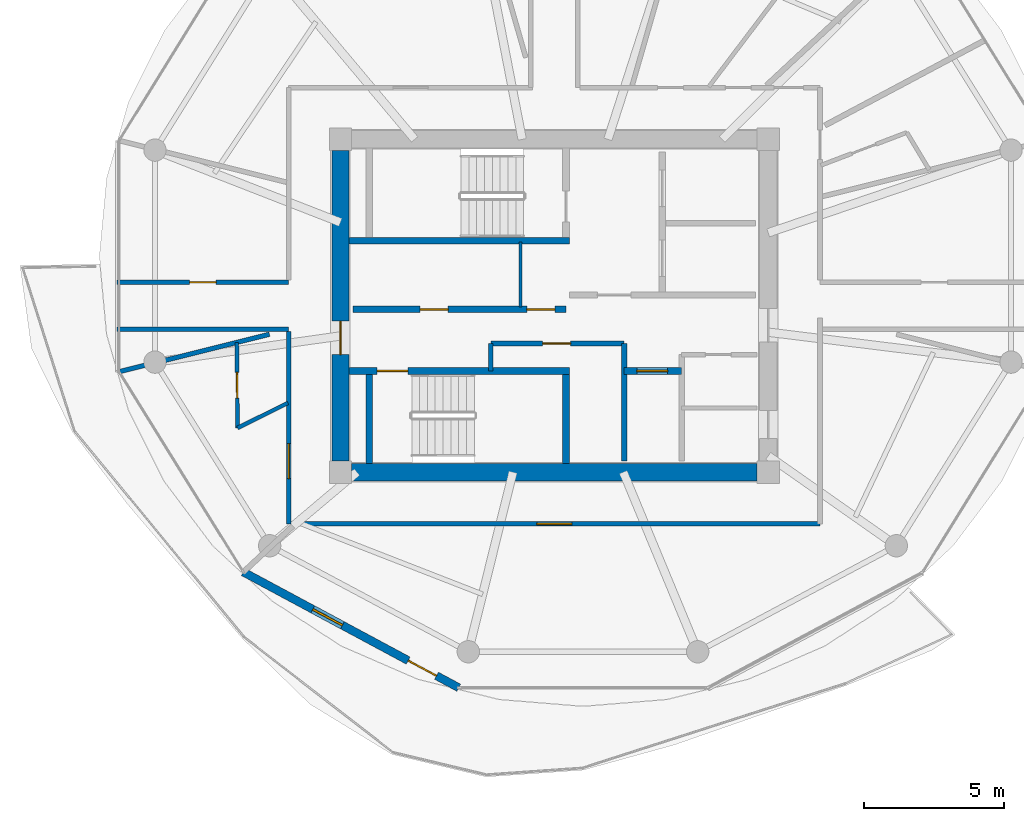
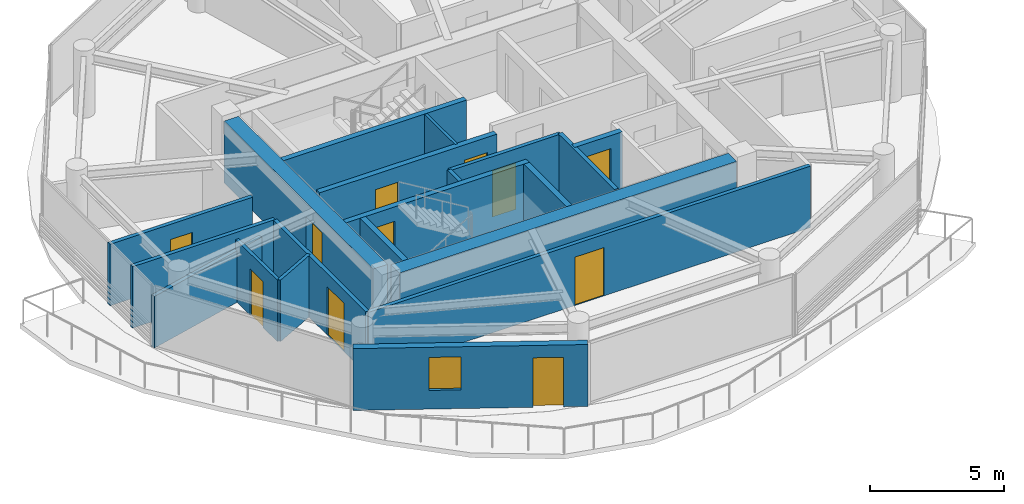
# One storey, part 12 of 22: 20 walls, 11 doors, 1 window, 12 openings.
"""IFC4 building model written with IfcOpenShell, lengths in metres."""

import ifcopenshell
import ifcopenshell.guid

model = None  # the IFC model being written
_history = None  # IfcOwnerHistory: only IFC2X3 demands one
_inside = {}  # id of a spatial element -> (the spatial element, [elements in it])
_under = {}  # id of a project, library or spatial element -> (it, [spatial elements below it])
_declared = {}  # id of a project -> (the project, [libraries it declares])
_typed = {}  # id of a type object -> (the type object, [elements of that type])
_made_of = {}  # id of a material, layer set ... -> (it, [elements and type objects made of it])


def new_model(schema):
    """Start an empty IFC model of exactly this schema.

    Asked for "IFC4X3", IfcOpenShell would pick the latest addendum, in which some entities
    have other attributes; the version numbers below select the first issue.
    IFC2X3 requires an IfcOwnerHistory on every rooted entity: one is made here for all.
    """
    global model, _history
    if schema == "IFC4X3":
        model = ifcopenshell.file(schema_version=(4, 3, 0, 0))
    else:
        model = ifcopenshell.file(schema=schema)
    _inside.clear()
    _under.clear()
    _declared.clear()
    _typed.clear()
    _made_of.clear()
    _history = None
    if model.schema == "IFC2X3":
        org = make("IfcOrganization", Name="unknown")
        user = make(
            "IfcPersonAndOrganization",
            ThePerson=make("IfcPerson", FamilyName="unknown"),
            TheOrganization=org,
        )
        app = make(
            "IfcApplication",
            ApplicationDeveloper=org,
            Version="unknown",
            ApplicationFullName="unknown",
            ApplicationIdentifier="unknown",
        )
        _history = make(
            "IfcOwnerHistory",
            OwningUser=user,
            OwningApplication=app,
            ChangeAction="ADDED",
            CreationDate=0,
        )
    return model


def make(cls, **values):
    """One entity of the class cls with the attributes given. An attribute that is None is left unset."""
    return model.create_entity(
        cls, **{name: value for name, value in values.items() if value is not None}
    )


def rooted(cls, **values):
    """An entity with a GlobalId (a new one), such as an element, a storey or a relation."""
    return make(cls, GlobalId=ifcopenshell.guid.new(), OwnerHistory=_history, **values)


def si_unit(unit_type, name, prefix=None):
    """IfcSIUnit, for example si_unit("LENGTHUNIT", "METRE", prefix="MILLI")."""
    return make("IfcSIUnit", UnitType=unit_type, Prefix=prefix, Name=name)


def assignment(units):
    """IfcUnitAssignment: the units of a project."""
    return None if units is None else make("IfcUnitAssignment", Units=units)


def point(xyz):
    """IfcCartesianPoint."""
    return None if xyz is None else make("IfcCartesianPoint", Coordinates=xyz)


def direction(xyz):
    """IfcDirection."""
    return None if xyz is None else make("IfcDirection", DirectionRatios=xyz)


def frame(location, z_axis=None, x_axis=None):
    """IfcAxis2Placement3D, a coordinate frame: its origin and axes. An axis left out is left unset."""
    return make(
        "IfcAxis2Placement3D",
        Location=point(location),
        Axis=direction(z_axis),
        RefDirection=direction(x_axis),
    )


def frame_2d(location, x_axis=None):
    """IfcAxis2Placement2D, a coordinate frame in the plane: its origin and x axis."""
    return make(
        "IfcAxis2Placement2D", Location=point(location), RefDirection=direction(x_axis)
    )


def origin():
    """The frame at (0, 0, 0) with its axes left unset."""
    return frame((0.0, 0.0, 0.0))


def place(relative_to, where):
    """IfcLocalPlacement: puts the frame where relative to a parent placement (None: the world)."""
    return make(
        "IfcLocalPlacement", PlacementRelTo=relative_to, RelativePlacement=where
    )


def context(
    kind, dimensions, precision=None, world=None, true_north=None, identifier=None
):
    """IfcGeometricRepresentationContext, for example the 3D "Model" context."""
    return make(
        "IfcGeometricRepresentationContext",
        ContextIdentifier=identifier,
        ContextType=kind,
        CoordinateSpaceDimension=dimensions,
        Precision=precision,
        WorldCoordinateSystem=world,
        TrueNorth=true_north,
    )


def subcontext(parent, identifier, kind, view, scale=None):
    """IfcGeometricRepresentationSubContext, for example "Body" below "Model"."""
    return make(
        "IfcGeometricRepresentationSubContext",
        ContextIdentifier=identifier,
        ContextType=kind,
        ParentContext=parent,
        TargetScale=scale,
        TargetView=view,
    )


def project(units=None, contexts=None):
    """IfcProject with its units and contexts."""
    return rooted(
        "IfcProject",
        Name="project",
        RepresentationContexts=contexts,
        UnitsInContext=assignment(units),
    )


def spatial(cls, under=None, at=None, **own):
    """A site, building, storey or space (cls), placed at a placement, below another one or the project."""
    s = rooted(cls, ObjectPlacement=at, **own)
    if under is not None:
        _under.setdefault(under.id(), (under, []))[1].append(s)
    return s


def profile(cls, at=None, kind="AREA", **sizes):
    """A parametric profile (cls). Its sizes go by their IFC names, for example OverallWidth=200.0."""
    return make(cls, ProfileType=kind, Position=at, **sizes)


def rectangle(**sizes):
    """IfcRectangleProfileDef."""
    return profile("IfcRectangleProfileDef", **sizes)


def extrude(swept, where, along, depth):
    """IfcExtrudedAreaSolid: the profile swept, set in the frame where, extruded along a direction by depth."""
    return make(
        "IfcExtrudedAreaSolid",
        SweptArea=swept,
        Position=where,
        ExtrudedDirection=direction(along),
        Depth=depth,
    )


def shape(context_of_items, identifier, shape_type, items):
    """IfcShapeRepresentation: the items that make up one representation, for example the "Body"."""
    return make(
        "IfcShapeRepresentation",
        ContextOfItems=context_of_items,
        RepresentationIdentifier=identifier,
        RepresentationType=shape_type,
        Items=items,
    )


def source(mapping_origin, context_of_items, identifier, shape_type, items):
    """IfcRepresentationMap: a shape defined once, which mapped items show again and again."""
    return make(
        "IfcRepresentationMap",
        MappingOrigin=mapping_origin,
        MappedRepresentation=shape(context_of_items, identifier, shape_type, items),
    )


def transform(
    local_origin,
    x_axis=None,
    y_axis=None,
    z_axis=None,
    scale=None,
    scale2=None,
    scale3=None,
    uniform=True,
):
    """IfcCartesianTransformationOperator3D, or its non-uniform kind. x_axis, y_axis, z_axis: its Axis1, 2, 3."""
    if uniform:
        return make(
            "IfcCartesianTransformationOperator3D",
            Axis1=direction(x_axis),
            Axis2=direction(y_axis),
            LocalOrigin=point(local_origin),
            Scale=scale,
            Axis3=direction(z_axis),
        )
    return make(
        "IfcCartesianTransformationOperator3DnonUniform",
        Axis1=direction(x_axis),
        Axis2=direction(y_axis),
        LocalOrigin=point(local_origin),
        Scale=scale,
        Axis3=direction(z_axis),
        Scale2=scale2,
        Scale3=scale3,
    )


def mapped(mapping_source, mapping_target):
    """IfcMappedItem: shows the shape of a source again, moved by a transform."""
    return make(
        "IfcMappedItem", MappingSource=mapping_source, MappingTarget=mapping_target
    )


def material(Name=None, Category=None):
    """IfcMaterial."""
    return make("IfcMaterial", Name=Name, Category=Category)


def layer(
    of_material, thickness, ventilated=None, Name=None, Category=None, Priority=None
):
    """IfcMaterialLayer: one layer of a wall or slab, of a material (None: an air gap)."""
    return make(
        "IfcMaterialLayer",
        Material=of_material,
        LayerThickness=thickness,
        IsVentilated=ventilated,
        Name=Name,
        Category=Category,
        Priority=Priority,
    )


def layer_set(layers, Name=None):
    """IfcMaterialLayerSet."""
    return make("IfcMaterialLayerSet", MaterialLayers=layers, LayerSetName=Name)


def made_of(thing, what):
    """Note that an element or type object is made of a material, layer set ...; save() writes the relation."""
    if what is not None:
        _made_of.setdefault(what.id(), (what, []))[1].append(thing)
    return thing


def type_object(cls, material=None, **own):
    """A type object (cls), such as IfcWallType, which elements share."""
    return made_of(rooted(cls, **own), material)


def type_shapes(of_type, sources):
    """Give a type object the sources (RepresentationMaps) that its elements show as mapped items."""
    of_type.RepresentationMaps = sources


def element(
    cls,
    number,
    at=None,
    inside=None,
    cuts=None,
    type_object=None,
    material=None,
    context=None,
    identifier="Body",
    shape_type=None,
    held_by="IfcProductDefinitionShape",
    body=None,
    shapes=None,
    **own,
):
    """One element of the class cls, such as IfcWall. Its Tag is "e" and its number.

    at: its placement. inside: the storey or other place that contains it. cuts: it is an
    opening in that element (IfcRelVoidsElement). A single representation is given by context,
    identifier, shape_type and body (its items); several are given by shapes. held_by: the class
    of the entity that holds the representations. save() writes the other relations.
    """
    e = rooted(cls, Tag="e%d" % number, ObjectPlacement=at, **own)
    if body is not None:
        shapes = [shape(context, identifier, shape_type, body)]
    if shapes is not None:
        e.Representation = make(held_by, Representations=shapes)
    if inside is not None:
        _inside.setdefault(inside.id(), (inside, []))[1].append(e)
    if cuts is not None:
        rooted(
            "IfcRelVoidsElement", RelatingBuildingElement=cuts, RelatedOpeningElement=e
        )
    if type_object is not None:
        _typed.setdefault(type_object.id(), (type_object, []))[1].append(e)
    return made_of(e, material)


def fill(opening, filler):
    """IfcRelFillsElement: the door or window that sits in an opening."""
    return rooted(
        "IfcRelFillsElement",
        RelatingOpeningElement=opening,
        RelatedBuildingElement=filler,
    )


def aggregate(whole, parts):
    """IfcRelAggregates: a whole, such as a stair, and the parts it consists of."""
    return rooted("IfcRelAggregates", RelatingObject=whole, RelatedObjects=parts)


def save(model, path):
    """Write the relations noted so far, then the file.

    IfcRelAggregates (storeys below a building ...), IfcRelContainedInSpatialStructure (elements
    in a storey), IfcRelDefinesByType, IfcRelAssociatesMaterial and IfcRelDeclares: one each for
    every whole, place, type object, material and project.
    """
    for whole, parts in _under.values():
        aggregate(whole, parts)
    for where, things in _inside.values():
        rooted(
            "IfcRelContainedInSpatialStructure",
            RelatedElements=things,
            RelatingStructure=where,
        )
    for kind, things in _typed.values():
        rooted("IfcRelDefinesByType", RelatedObjects=things, RelatingType=kind)
    for what, things in _made_of.values():
        rooted("IfcRelAssociatesMaterial", RelatedObjects=things, RelatingMaterial=what)
    for by, libraries in _declared.values():
        rooted("IfcRelDeclares", RelatingContext=by, RelatedDefinitions=libraries)
    model.write(path)


model = new_model("IFC4")

# Units and contexts
model_context = context("Model", 3, precision=1e-05, world=origin(), true_north=direction((0.0, 1.0)))
body_context = subcontext(model_context, "Body", "Model", "MODEL_VIEW")
ifc_project = project(units=[si_unit("LENGTHUNIT", "METRE"), si_unit("AREAUNIT", "SQUARE_METRE"), si_unit("VOLUMEUNIT", "CUBIC_METRE"), si_unit("PLANEANGLEUNIT", "RADIAN"), si_unit("MASSUNIT", "GRAM", prefix="KILO")], contexts=[model_context])

# Site, building, storey
site_placement = place(None, origin())
site = spatial("IfcSite", under=ifc_project, at=site_placement, CompositionType="ELEMENT")
building_placement = place(site_placement, origin())
building = spatial("IfcBuilding", under=site, at=building_placement, Name="Norrkilde Senior Care Towers", CompositionType="ELEMENT")
storey_placement = place(building_placement, frame((0.0, 0.0, 170.89990234375)))
storey = spatial("IfcBuildingStorey", under=building, at=storey_placement, Name="L53", CompositionType="ELEMENT", Elevation=170.89990234375)

# Wall
ifc_material_1 = material(Name="Concrete C50/60", Category="concrete")
ifc_layer_1 = layer(ifc_material_1, 0.6201171875)
ifc_layer_set_1 = layer_set([ifc_layer_1], Name="Concrete C50/60")
wall_type_1 = type_object("IfcWallType", Name="Core Shear Wall Z3 620", PredefinedType="SHEAR", material=ifc_layer_set_1)
shared_shape_1 = source(origin(), body_context, "Body", "SweptSolid", [
    extrude(rectangle(XDim=14.5, YDim=0.6201171875, at=frame_2d((7.25, 0.0))), origin(), (0.0, 0.0, 1.0), 2.81005859375),
])
wall_1_placement = place(storey_placement, frame((-20.75, -5.949951171875, 0.0), z_axis=(0.0, 0.0, 1.0), x_axis=(-1.0, 0.0, 0.0)))
element("IfcWall", 1, at=wall_1_placement, inside=storey, type_object=wall_type_1, Name="L53 Core W South Shear Wall", PredefinedType="SHEAR", context=body_context, shape_type="MappedRepresentation", body=[
    mapped(shared_shape_1, transform((0.0, 0.0, 0.0), x_axis=(1.0, 0.0, 0.0), y_axis=(0.0, 1.0, 0.0), z_axis=(0.0, 0.0, 1.0), scale=1.0)),
])

# Wall, opening, door
shared_shape_2 = source(origin(), body_context, "Body", "SweptSolid", [
    extrude(rectangle(XDim=11.10009765625, YDim=0.6201171875, at=frame_2d((5.550048828125, 0.0))), origin(), (0.0, 0.0, 1.0), 2.81005859375),
])
type_shapes(wall_type_1, [shared_shape_1, shared_shape_2])
wall_2_placement = place(storey_placement, frame((-35.64990234375, -5.550048828125, 0.0), z_axis=(0.0, 0.0, 1.0), x_axis=(0.0, 1.0, 0.0)))
wall_2 = element("IfcWall", 2, at=wall_2_placement, inside=storey, type_object=wall_type_1, Name="L53 Core W West Shear Wall", PredefinedType="SHEAR", context=body_context, shape_type="MappedRepresentation", body=[
    mapped(shared_shape_2, transform((0.0, 0.0, 0.0), x_axis=(1.0, 0.0, 0.0), y_axis=(0.0, 1.0, 0.0), z_axis=(0.0, 0.0, 1.0), scale=1.0)),
])
opening_1_placement = place(wall_2_placement, frame((3.800048828125, 0.0, 0.0)))
opening_1 = element("IfcOpeningElement", 3, at=opening_1_placement, cuts=wall_2, Name="Opening D-04", PredefinedType="OPENING", context=body_context, shape_type="SweptSolid", body=[
    extrude(rectangle(XDim=1.199951171875, YDim=2.14990234375, at=frame_2d((0.60009765625, 1.074951171875))), frame((0.0, 0.320068359375, 0.0), z_axis=(0.0, -1.0, 0.0), x_axis=(1.0, 0.0, 0.0)), (0.0, 0.0, 1.0), 0.64013671875),
])
ifc_material_2 = material(Name="Galvanised Painted Steel", Category="steel")
door_type_1 = type_object("IfcDoorType", Name="Firefighting Lobby Fire Door 1200x2150", OperationType="NOTDEFINED", PredefinedType="DOOR", material=ifc_material_2)
shared_shape_3 = source(origin(), body_context, "Body", "SweptSolid", [
    extrude(rectangle(XDim=1.199951171875, YDim=2.14990234375, at=frame_2d((0.60009765625, 1.074951171875))), frame((0.0, 0.02490234375, 0.0), z_axis=(0.0, -1.0, 0.0), x_axis=(1.0, 0.0, 0.0)), (0.0, 0.0, 1.0), 0.050048828125),
])
type_shapes(door_type_1, [shared_shape_3])
door_1_placement = place(opening_1_placement, frame((1.199951171875, 0.0, 0.0), z_axis=(0.0, 0.0, 1.0), x_axis=(-1.0, 0.0, 0.0)))
door_1 = element("IfcDoor", 4, at=door_1_placement, inside=storey, type_object=door_type_1, Name="L53 Core W West Portal Door", OperationType="SINGLE_SWING_LEFT", OverallHeight=2.14990234375, OverallWidth=1.199951171875, PredefinedType="DOOR", context=body_context, shape_type="MappedRepresentation", body=[
    mapped(shared_shape_3, transform((0.0, 0.0, 0.0), x_axis=(1.0, 0.0, 0.0), y_axis=(0.0, 1.0, 0.0), z_axis=(0.0, 0.0, 1.0), scale=1.0)),
])
fill(opening_1, door_1)

# Wall, openings, door, window
ifc_material_3 = material(Name="Precast concrete C45/55", Category="concrete")
ifc_layer_2 = layer(ifc_material_3, 0.2900390625)
ifc_layer_set_2 = layer_set([ifc_layer_2], Name="Precast concrete C45/55")
wall_type_2 = type_object("IfcWallType", Name="Winter Garden Facade Wall 290", PredefinedType="SOLIDWALL", material=ifc_layer_set_2)
shared_shape_4 = source(origin(), body_context, "Body", "SweptSolid", [
    extrude(rectangle(XDim=8.74169921875, YDim=0.2900390625, at=frame_2d((4.370849609375, 0.0))), origin(), (0.0, 0.0, 1.0), 2.81005859375),
])
type_shapes(wall_type_2, [shared_shape_4])
wall_3_placement = place(storey_placement, frame((-31.421630859375, -13.66015625, 0.0), z_axis=(0.0, 0.0, 1.0), x_axis=(-0.880992489116, 0.473130250693, 0.0)))
wall_3 = element("IfcWall", 5, at=wall_3_placement, inside=storey, type_object=wall_type_2, Name="L53 Drum W Balcony Access Wall 07", PredefinedType="SOLIDWALL", context=body_context, shape_type="MappedRepresentation", body=[
    mapped(shared_shape_4, transform((0.0, 0.0, 0.0), x_axis=(1.0, 0.0, 0.0), y_axis=(0.0, 1.0, 0.0), z_axis=(0.0, 0.0, 1.0), scale=1.0)),
])
opening_2_placement = place(wall_3_placement, frame((0.89990234375, 0.0, 0.0)))
opening_2 = element("IfcOpeningElement", 6, at=opening_2_placement, cuts=wall_3, Name="Opening D-09", PredefinedType="OPENING", context=body_context, shape_type="SweptSolid", body=[
    extrude(rectangle(XDim=1.14990234375, YDim=2.25, at=frame_2d((0.574951171875, 1.125))), frame((0.0, 0.155029296875, 0.0), z_axis=(0.0, -1.0, 0.0), x_axis=(1.0, 0.0, 0.0)), (0.0, 0.0, 1.0), 0.31005859375),
])
opening_3_placement = place(wall_3_placement, frame((4.720947265625, 0.0, 0.85009765625)))
opening_3 = element("IfcOpeningElement", 7, at=opening_3_placement, cuts=wall_3, Name="Opening WN-07", PredefinedType="OPENING", context=body_context, shape_type="SweptSolid", body=[
    extrude(rectangle(XDim=1.199951171875, YDim=1.5, at=frame_2d((0.60009765625, 0.75))), frame((0.0, 0.155029296875, 0.0), z_axis=(0.0, -1.0, 0.0), x_axis=(1.0, 0.0, 0.0)), (0.0, 0.0, 1.0), 0.31005859375),
])
ifc_material_4 = material(Name="Anodised Aluminium", Category="aluminium")
door_type_2 = type_object("IfcDoorType", Name="Terrace and Balcony Glazed Door 1150x2250", OperationType="NOTDEFINED", PredefinedType="DOOR", material=ifc_material_4)
shared_shape_5 = source(origin(), body_context, "Body", "SweptSolid", [
    extrude(rectangle(XDim=1.14990234375, YDim=2.25, at=frame_2d((0.574951171875, 1.125))), frame((0.0, 0.02490234375, 0.0), z_axis=(0.0, -1.0, 0.0), x_axis=(1.0, 0.0, 0.0)), (0.0, 0.0, 1.0), 0.050048828125),
])
type_shapes(door_type_2, [shared_shape_5])
door_2_placement = place(opening_2_placement, origin())
door_2 = element("IfcDoor", 8, at=door_2_placement, inside=storey, type_object=door_type_2, Name="L53 Drum W Outdoor Terrace Door 07", OperationType="SINGLE_SWING_RIGHT", OverallHeight=2.25, OverallWidth=1.14990234375, PredefinedType="DOOR", context=body_context, shape_type="MappedRepresentation", body=[
    mapped(shared_shape_5, transform((0.0, 0.0, 0.0), x_axis=(1.0, 0.0, 0.0), y_axis=(0.0, 1.0, 0.0), z_axis=(0.0, 0.0, 1.0), scale=1.0)),
])
fill(opening_2, door_2)
ifc_material_5 = material(Name="Triple Low-E Insulated Glazing", Category="glass")
window_type = type_object("IfcWindowType", Name="Stairwell Smoke Vent Window 1200x1500", PartitioningType="SINGLE_PANEL", PredefinedType="WINDOW", material=ifc_material_5)
shared_shape_6 = source(origin(), body_context, "Body", "SweptSolid", [
    extrude(rectangle(XDim=1.199951171875, YDim=1.5, at=frame_2d((0.60009765625, 0.75))), frame((0.0, 0.030029296875, 0.0), z_axis=(0.0, -1.0, 0.0), x_axis=(1.0, 0.0, 0.0)), (0.0, 0.0, 1.0), 0.06005859375),
])
type_shapes(window_type, [shared_shape_6])
window_placement = place(opening_3_placement, origin())
window = element("IfcWindow", 9, at=window_placement, inside=storey, type_object=window_type, Name="L53 Drum W Winter Garden Window 07", OverallHeight=1.5, OverallWidth=1.199951171875, PartitioningType="SINGLE_PANEL", PredefinedType="WINDOW", context=body_context, shape_type="MappedRepresentation", body=[
    mapped(shared_shape_6, transform((0.0, 0.0, 0.0), x_axis=(1.0, 0.0, 0.0), y_axis=(0.0, 1.0, 0.0), z_axis=(0.0, 0.0, 1.0), scale=1.0)),
])
fill(opening_3, window)

# Wall
ifc_material_6 = material(Name="Concrete C45/55", Category="concrete")
ifc_layer_3 = layer(ifc_material_6, 0.239990234375)
ifc_layer_set_3 = layer_set([ifc_layer_3], Name="Concrete C45/55")
wall_type_3 = type_object("IfcWallType", Name="Shaft and Stair Enclosure Wall 240", PredefinedType="PARTITIONING", material=ifc_layer_set_3)
shared_shape_7 = source(origin(), body_context, "Body", "SweptSolid", [
    extrude(rectangle(XDim=7.880126953125, YDim=0.239990234375, at=frame_2d((3.93994140625, 0.0))), origin(), (0.0, 0.0, 1.0), 2.81005859375),
])
wall_4_placement = place(storey_placement, frame((-35.340087890625, 2.330078125, 0.0), z_axis=(0.0, 0.0, 1.0), x_axis=(1.0, 0.0, 0.0)))
element("IfcWall", 10, at=wall_4_placement, inside=storey, type_object=wall_type_3, Name="WL-INT-L53-W-ST1S", PredefinedType="PARTITIONING", context=body_context, shape_type="MappedRepresentation", body=[
    mapped(shared_shape_7, transform((0.0, 0.0, 0.0), x_axis=(1.0, 0.0, 0.0), y_axis=(0.0, 1.0, 0.0), z_axis=(0.0, 0.0, 1.0), scale=1.0)),
])

# Wall, opening, door
wall_5_placement = place(storey_placement, frame((-35.340087890625, -2.330078125, 0.0), z_axis=(0.0, 0.0, 1.0), x_axis=(1.0, 0.0, 0.0)))
wall_5 = element("IfcWall", 11, at=wall_5_placement, inside=storey, type_object=wall_type_3, Name="WL-INT-L53-W-ST2N", PredefinedType="PARTITIONING", context=body_context, shape_type="MappedRepresentation", body=[
    mapped(shared_shape_7, transform((0.0, 0.0, 0.0), x_axis=(1.0, 0.0, 0.0), y_axis=(0.0, 1.0, 0.0), z_axis=(0.0, 0.0, 1.0), scale=1.0)),
])
opening_4_placement = place(wall_5_placement, frame((1.0, 0.0, 0.0)))
opening_4 = element("IfcOpeningElement", 12, at=opening_4_placement, cuts=wall_5, Name="Opening D-03", PredefinedType="OPENING", context=body_context, shape_type="SweptSolid", body=[
    extrude(rectangle(XDim=1.10009765625, YDim=2.14990234375, at=frame_2d((0.550048828125, 1.074951171875))), frame((0.0, 0.1298828125, 0.0), z_axis=(0.0, -1.0, 0.0), x_axis=(1.0, 0.0, 0.0)), (0.0, 0.0, 1.0), 0.260009765625),
])
door_type_3 = type_object("IfcDoorType", Name="Stairwell Protected Fire Door 1100x2150", OperationType="NOTDEFINED", PredefinedType="DOOR", material=ifc_material_2)
shared_shape_8 = source(origin(), body_context, "Body", "SweptSolid", [
    extrude(rectangle(XDim=1.10009765625, YDim=2.14990234375, at=frame_2d((0.550048828125, 1.074951171875))), frame((0.0, 0.02490234375, 0.0), z_axis=(0.0, -1.0, 0.0), x_axis=(1.0, 0.0, 0.0)), (0.0, 0.0, 1.0), 0.050048828125),
])
type_shapes(door_type_3, [shared_shape_8])
door_3_placement = place(opening_4_placement, frame((1.10009765625, 0.0, 0.0), z_axis=(0.0, 0.0, 1.0), x_axis=(-1.0, 0.0, 0.0)))
door_3 = element("IfcDoor", 13, at=door_3_placement, inside=storey, type_object=door_type_3, Name="L53 Stair W2 Fire Door", OperationType="SINGLE_SWING_RIGHT", OverallHeight=2.14990234375, OverallWidth=1.10009765625, PredefinedType="DOOR", context=body_context, shape_type="MappedRepresentation", body=[
    mapped(shared_shape_8, transform((0.0, 0.0, 0.0), x_axis=(1.0, 0.0, 0.0), y_axis=(0.0, 1.0, 0.0), z_axis=(0.0, 0.0, 1.0), scale=1.0)),
])
fill(opening_4, door_3)

# Walls
shared_shape_9 = source(origin(), body_context, "Body", "SweptSolid", [
    extrude(rectangle(XDim=3.18994140625, YDim=0.239990234375, at=frame_2d((1.594970703125, 0.0))), origin(), (0.0, 0.0, 1.0), 2.81005859375),
])
type_shapes(wall_type_3, [shared_shape_7, shared_shape_9])
for number, where, z_axis, x_axis, name in (
    (14, (-34.6201171875, -5.639892578125, 0.0), (0.0, 0.0, 1.0), (0.0, 1.0, 0.0), "WL-INT-L53-W-ST2W"),
    (15, (-27.580078125, -5.639892578125, 0.0), (0.0, 0.0, 1.0), (0.0, 1.0, 0.0), "WL-INT-L53-W-ST2E"),
):
    element("IfcWall", number, at=place(storey_placement, frame(where, z_axis=z_axis, x_axis=x_axis)), inside=storey, type_object=wall_type_3, Name=name, PredefinedType="PARTITIONING", context=body_context, shape_type="MappedRepresentation", body=[
        mapped(shared_shape_9, transform((0.0, 0.0, 0.0), x_axis=(1.0, 0.0, 0.0), y_axis=(0.0, 1.0, 0.0), z_axis=(0.0, 0.0, 1.0), scale=1.0)),
    ])

# Wall, openings, doors
ifc_layer_4 = layer(ifc_material_6, 0.239990234375)
ifc_layer_set_4 = layer_set([ifc_layer_4], Name="Concrete C45/55")
wall_type_4 = type_object("IfcWallType", Name="Lift and Plant Rated Enclosure Partition 240", PredefinedType="PARTITIONING", material=ifc_layer_set_4)
shared_shape_10 = source(origin(), body_context, "Body", "SweptSolid", [
    extrude(rectangle(XDim=7.619873046875, YDim=0.239990234375, at=frame_2d((3.81005859375, 0.0))), origin(), (0.0, 0.0, 1.0), 2.795166015625),
])
wall_6_placement = place(storey_placement, frame((-35.199951171875, -0.1298828125, 0.0), z_axis=(0.0, 0.0, 1.0), x_axis=(1.0, 0.0, 0.0)))
wall_6 = element("IfcWall", 16, at=wall_6_placement, inside=storey, type_object=wall_type_4, Name="WL-INT-L53-W-PKAS", PredefinedType="PARTITIONING", context=body_context, shape_type="MappedRepresentation", body=[
    mapped(shared_shape_10, transform((0.0, 0.0, 0.0), x_axis=(1.0, 0.0, 0.0), y_axis=(0.0, 1.0, 0.0), z_axis=(0.0, 0.0, 1.0), scale=1.0)),
])
opening_5_placement = place(wall_6_placement, frame((6.219970703125, 0.0, 0.0)))
opening_5 = element("IfcOpeningElement", 17, at=opening_5_placement, cuts=wall_6, Name="Opening D-10", PredefinedType="OPENING", context=body_context, shape_type="SweptSolid", body=[
    extrude(rectangle(XDim=1.0, YDim=2.10009765625, at=frame_2d((0.5, 1.050048828125))), frame((0.0, 0.1298828125, 0.0), z_axis=(0.0, -1.0, 0.0), x_axis=(1.0, 0.0, 0.0)), (0.0, 0.0, 1.0), 0.260009765625),
])
opening_6_placement = place(wall_6_placement, frame((2.39990234375, 0.0, 0.0)))
opening_6 = element("IfcOpeningElement", 18, at=opening_6_placement, cuts=wall_6, Name="Opening D-10", PredefinedType="OPENING", context=body_context, shape_type="SweptSolid", body=[
    extrude(rectangle(XDim=1.0, YDim=2.10009765625, at=frame_2d((0.5, 1.050048828125))), frame((0.0, 0.1298828125, 0.0), z_axis=(0.0, -1.0, 0.0), x_axis=(1.0, 0.0, 0.0)), (0.0, 0.0, 1.0), 0.260009765625),
])
door_type_4 = type_object("IfcDoorType", Name="Plant and Riser Rated Door 1000x2100", OperationType="NOTDEFINED", PredefinedType="DOOR", material=ifc_material_2)
shared_shape_11 = source(origin(), body_context, "Body", "SweptSolid", [
    extrude(rectangle(XDim=1.0, YDim=2.10009765625, at=frame_2d((0.5, 1.050048828125))), frame((0.0, 0.02490234375, 0.0), z_axis=(0.0, -1.0, 0.0), x_axis=(1.0, 0.0, 0.0)), (0.0, 0.0, 1.0), 0.050048828125),
])
type_shapes(door_type_4, [shared_shape_11])
door_4_placement = place(opening_5_placement, frame((1.0, 0.0, 0.0), z_axis=(0.0, 0.0, 1.0), x_axis=(-1.0, 0.0, 0.0)))
door_4 = element("IfcDoor", 19, at=door_4_placement, inside=storey, type_object=door_type_4, Name="L53 Electrical Riser W Door", OperationType="SINGLE_SWING_LEFT", OverallHeight=2.10009765625, OverallWidth=1.0, PredefinedType="DOOR", context=body_context, shape_type="MappedRepresentation", body=[
    mapped(shared_shape_11, transform((0.0, 0.0, 0.0), x_axis=(1.0, 0.0, 0.0), y_axis=(0.0, 1.0, 0.0), z_axis=(0.0, 0.0, 1.0), scale=1.0)),
])
fill(opening_5, door_4)
door_5_placement = place(opening_6_placement, frame((1.0, 0.0, 0.0), z_axis=(0.0, 0.0, 1.0), x_axis=(-1.0, 0.0, 0.0)))
door_5 = element("IfcDoor", 20, at=door_5_placement, inside=storey, type_object=door_type_4, Name="L53 Clean Supply Store W Door", OperationType="SINGLE_SWING_LEFT", OverallHeight=2.10009765625, OverallWidth=1.0, PredefinedType="DOOR", context=body_context, shape_type="MappedRepresentation", body=[
    mapped(shared_shape_11, transform((0.0, 0.0, 0.0), x_axis=(1.0, 0.0, 0.0), y_axis=(0.0, 1.0, 0.0), z_axis=(0.0, 0.0, 1.0), scale=1.0)),
])
fill(opening_6, door_5)

# Walls
ifc_material_7 = material(Name="Gypsum Acoustic Board")
ifc_layer_5 = layer(ifc_material_7, 0.114990234375)
ifc_layer_set_5 = layer_set([ifc_layer_5], Name="Gypsum Acoustic Board")
wall_type_5 = type_object("IfcWallType", Name="Internal Room Partition 115", PredefinedType="PARTITIONING", material=ifc_layer_set_5)
shared_shape_12 = source(origin(), body_context, "Body", "SweptSolid", [
    extrude(rectangle(XDim=2.330078125, YDim=0.114990234375, at=frame_2d((1.1650390625, 0.0))), origin(), (0.0, 0.0, 1.0), 2.795166015625),
])
type_shapes(wall_type_5, [shared_shape_12])
wall_7_placement = place(storey_placement, frame((-29.2099609375, -0.050048828125, 0.0), z_axis=(0.0, 0.0, 1.0), x_axis=(0.0, 1.0, 0.0)))
element("IfcWall", 21, at=wall_7_placement, inside=storey, type_object=wall_type_5, Name="WL-INT-L53-W-RISW", PredefinedType="PARTITIONING", context=body_context, shape_type="MappedRepresentation", body=[
    mapped(shared_shape_12, transform((0.0, 0.0, 0.0), x_axis=(1.0, 0.0, 0.0), y_axis=(0.0, 1.0, 0.0), z_axis=(0.0, 0.0, 1.0), scale=1.0)),
])
ifc_layer_6 = layer(ifc_material_7, 0.139892578125)
ifc_layer_set_6 = layer_set([ifc_layer_6], Name="Gypsum Acoustic Board")
wall_type_6 = type_object("IfcWallType", Name="En-suite Wet Room Wall 140", PredefinedType="PARTITIONING", material=ifc_layer_set_6)
shared_shape_13 = source(origin(), body_context, "Body", "SweptSolid", [
    extrude(rectangle(XDim=2.012939453125, YDim=0.139892578125, at=frame_2d((1.00634765625, 0.0))), origin(), (0.0, 0.0, 1.0), 2.795166015625),
])
wall_8_placement = place(storey_placement, frame((-37.530029296875, -3.4755859375, 0.0), z_axis=(0.0, 0.0, 1.0), x_axis=(-0.895347078862, -0.445369069843, 0.0)))
element("IfcWall", 22, at=wall_8_placement, inside=storey, type_object=wall_type_6, Name="WL-INT-L53-W-ES-06", PredefinedType="PARTITIONING", context=body_context, shape_type="MappedRepresentation", body=[
    mapped(shared_shape_13, transform((0.0, 0.0, 0.0), x_axis=(1.0, 0.0, 0.0), y_axis=(0.0, 1.0, 0.0), z_axis=(0.0, 0.0, 1.0), scale=1.0)),
])

# Wall, opening, door
ifc_layer_7 = layer(ifc_material_7, 0.1650390625)
ifc_layer_set_7 = layer_set([ifc_layer_7], Name="Gypsum Acoustic Board")
wall_type_7 = type_object("IfcWallType", Name="Corridor Rated Partition 165", PredefinedType="PARTITIONING", material=ifc_layer_set_7)
shared_shape_14 = source(origin(), body_context, "Body", "SweptSolid", [
    extrude(rectangle(XDim=19.0, YDim=0.1650390625, at=frame_2d((9.5, 0.0))), origin(), (0.0, 0.0, 1.0), 2.795166015625),
])
wall_9_placement = place(storey_placement, frame((-18.5, -7.800048828125, 0.0), z_axis=(0.0, 0.0, 1.0), x_axis=(-1.0, 0.0, 0.0)))
wall_9 = element("IfcWall", 23, at=wall_9_placement, inside=storey, type_object=wall_type_7, Name="WL-INT-L53-W-CRW-S-0", PredefinedType="PARTITIONING", context=body_context, shape_type="MappedRepresentation", body=[
    mapped(shared_shape_14, transform((0.0, 0.0, 0.0), x_axis=(1.0, 0.0, 0.0), y_axis=(0.0, 1.0, 0.0), z_axis=(0.0, 0.0, 1.0), scale=1.0)),
])
opening_7_placement = place(wall_9_placement, frame((8.875, 0.0, 0.0)))
opening_7 = element("IfcOpeningElement", 24, at=opening_7_placement, cuts=wall_9, Name="Opening D-05", PredefinedType="OPENING", context=body_context, shape_type="SweptSolid", body=[
    extrude(rectangle(XDim=1.25, YDim=2.199951171875, at=frame_2d((0.625, 1.10009765625))), frame((0.0, 0.092529296875, 0.0), z_axis=(0.0, -1.0, 0.0), x_axis=(1.0, 0.0, 0.0)), (0.0, 0.0, 1.0), 0.18505859375),
])
ifc_material_8 = material(Name="Nordic Ash Timber", Category="wood")
door_type_5 = type_object("IfcDoorType", Name="Care Bedroom Bariatric Door 1250x2200", OperationType="NOTDEFINED", PredefinedType="DOOR", material=ifc_material_8)
shared_shape_15 = source(origin(), body_context, "Body", "SweptSolid", [
    extrude(rectangle(XDim=1.25, YDim=2.199951171875, at=frame_2d((0.625, 1.10009765625))), frame((0.0, 0.02490234375, 0.0), z_axis=(0.0, -1.0, 0.0), x_axis=(1.0, 0.0, 0.0)), (0.0, 0.0, 1.0), 0.050048828125),
])
type_shapes(door_type_5, [shared_shape_15])
door_6_placement = place(opening_7_placement, frame((1.25, 0.0, 0.0), z_axis=(0.0, 0.0, 1.0), x_axis=(-1.0, 0.0, 0.0)))
door_6 = element("IfcDoor", 25, at=door_6_placement, inside=storey, type_object=door_type_5, Name="L53 Geriatric Rehabilitation Clinic Door", OperationType="SINGLE_SWING_RIGHT", OverallHeight=2.199951171875, OverallWidth=1.25, PredefinedType="DOOR", context=body_context, shape_type="MappedRepresentation", body=[
    mapped(shared_shape_15, transform((0.0, 0.0, 0.0), x_axis=(1.0, 0.0, 0.0), y_axis=(0.0, 1.0, 0.0), z_axis=(0.0, 0.0, 1.0), scale=1.0)),
])
fill(opening_7, door_6)

shared_shape_16 = source(origin(), body_context, "Body", "SweptSolid", [
    extrude(rectangle(XDim=6.880126953125, YDim=0.1650390625, at=frame_2d((3.43994140625, 0.0))), origin(), (0.0, 0.0, 1.0), 2.795166015625),
])
wall_10_placement = place(storey_placement, frame((-37.5, -7.800048828125, 0.0), z_axis=(0.0, 0.0, 1.0), x_axis=(0.0, 1.0, 0.0)))
wall_10 = element("IfcWall", 26, at=wall_10_placement, inside=storey, type_object=wall_type_7, Name="WL-INT-L53-W-CRW-W-0", PredefinedType="PARTITIONING", context=body_context, shape_type="MappedRepresentation", body=[
    mapped(shared_shape_16, transform((0.0, 0.0, 0.0), x_axis=(1.0, 0.0, 0.0), y_axis=(0.0, 1.0, 0.0), z_axis=(0.0, 0.0, 1.0), scale=1.0)),
])
opening_8_placement = place(wall_10_placement, frame((1.61962890625, 0.0, 0.0)))
opening_8 = element("IfcOpeningElement", 27, at=opening_8_placement, cuts=wall_10, Name="Opening D-05", PredefinedType="OPENING", context=body_context, shape_type="SweptSolid", body=[
    extrude(rectangle(XDim=1.25, YDim=2.199951171875, at=frame_2d((0.625, 1.10009765625))), frame((0.0, 0.092529296875, 0.0), z_axis=(0.0, -1.0, 0.0), x_axis=(1.0, 0.0, 0.0)), (0.0, 0.0, 1.0), 0.18505859375),
])
door_7_placement = place(opening_8_placement, frame((1.25, 0.0, 0.0), z_axis=(0.0, 0.0, 1.0), x_axis=(-1.0, 0.0, 0.0)))
door_7 = element("IfcDoor", 28, at=door_7_placement, inside=storey, type_object=door_type_5, Name="L53 Care Suite 5306 Entrance Door", OperationType="SINGLE_SWING_RIGHT", OverallHeight=2.199951171875, OverallWidth=1.25, PredefinedType="DOOR", context=body_context, shape_type="MappedRepresentation", body=[
    mapped(shared_shape_15, transform((0.0, 0.0, 0.0), x_axis=(1.0, 0.0, 0.0), y_axis=(0.0, 1.0, 0.0), z_axis=(0.0, 0.0, 1.0), scale=1.0)),
])
fill(opening_8, door_7)

shared_shape_17 = source(origin(), body_context, "Body", "SweptSolid", [
    extrude(rectangle(XDim=6.138916015625, YDim=0.1650390625, at=frame_2d((3.0693359375, 0.0))), origin(), (0.0, 0.0, 1.0), 2.795166015625),
])
wall_11_placement = place(storey_placement, frame((-43.638916015625, 0.840087890625, 0.0), z_axis=(0.0, 0.0, 1.0), x_axis=(1.0, 0.0, 0.0)))
wall_11 = element("IfcWall", 29, at=wall_11_placement, inside=storey, type_object=wall_type_7, Name="WL-INT-L53-W-SPK-W1-0", PredefinedType="PARTITIONING", context=body_context, shape_type="MappedRepresentation", body=[
    mapped(shared_shape_17, transform((0.0, 0.0, 0.0), x_axis=(1.0, 0.0, 0.0), y_axis=(0.0, 1.0, 0.0), z_axis=(0.0, 0.0, 1.0), scale=1.0)),
])
opening_9_placement = place(wall_11_placement, frame((2.594482421875, 0.0, 0.0)))
opening_9 = element("IfcOpeningElement", 30, at=opening_9_placement, cuts=wall_11, Name="Opening D-07", PredefinedType="OPENING", context=body_context, shape_type="SweptSolid", body=[
    extrude(rectangle(XDim=0.949951171875, YDim=2.10009765625, at=frame_2d((0.47509765625, 1.050048828125))), frame((0.0, 0.092529296875, 0.0), z_axis=(0.0, -1.0, 0.0), x_axis=(1.0, 0.0, 0.0)), (0.0, 0.0, 1.0), 0.18505859375),
])
door_type_6 = type_object("IfcDoorType", Name="Internal Suite Bedroom Door 950x2100", OperationType="NOTDEFINED", PredefinedType="DOOR", material=ifc_material_8)
shared_shape_18 = source(origin(), body_context, "Body", "SweptSolid", [
    extrude(rectangle(XDim=0.949951171875, YDim=2.10009765625, at=frame_2d((0.47509765625, 1.050048828125))), frame((0.0, 0.02490234375, 0.0), z_axis=(0.0, -1.0, 0.0), x_axis=(1.0, 0.0, 0.0)), (0.0, 0.0, 1.0), 0.050048828125),
])
type_shapes(door_type_6, [shared_shape_18])
door_8_placement = place(opening_9_placement, frame((0.949951171875, 0.0, 0.0), z_axis=(0.0, 0.0, 1.0), x_axis=(-1.0, 0.0, 0.0)))
door_8 = element("IfcDoor", 31, at=door_8_placement, inside=storey, type_object=door_type_6, Name="L53 Sun Reading Lounge 2 Door", OperationType="SINGLE_SWING_LEFT", OverallHeight=2.10009765625, OverallWidth=0.949951171875, PredefinedType="DOOR", context=body_context, shape_type="MappedRepresentation", body=[
    mapped(shared_shape_18, transform((0.0, 0.0, 0.0), x_axis=(1.0, 0.0, 0.0), y_axis=(0.0, 1.0, 0.0), z_axis=(0.0, 0.0, 1.0), scale=1.0)),
])
fill(opening_9, door_8)

# Wall
wall_12_placement = place(storey_placement, frame((-37.5, -0.840087890625, 0.0), z_axis=(0.0, 0.0, 1.0), x_axis=(-1.0, 0.0, 0.0)))
element("IfcWall", 32, at=wall_12_placement, inside=storey, type_object=wall_type_7, Name="WL-INT-L53-W-SPK-W2-0", PredefinedType="PARTITIONING", context=body_context, shape_type="MappedRepresentation", body=[
    mapped(shared_shape_17, transform((0.0, 0.0, 0.0), x_axis=(1.0, 0.0, 0.0), y_axis=(0.0, 1.0, 0.0), z_axis=(0.0, 0.0, 1.0), scale=1.0)),
])

# Wall, opening, door
shared_shape_19 = source(origin(), body_context, "Body", "SweptSolid", [
    extrude(rectangle(XDim=2.050048828125, YDim=0.239990234375, at=frame_2d((1.02490234375, 0.0))), origin(), (0.0, 0.0, 1.0), 2.795166015625),
])
type_shapes(wall_type_4, [shared_shape_10, shared_shape_19])
wall_13_placement = place(storey_placement, frame((-25.5, -2.330078125, 0.0), z_axis=(0.0, 0.0, 1.0), x_axis=(1.0, 0.0, 0.0)))
wall_13 = element("IfcWall", 33, at=wall_13_placement, inside=storey, type_object=wall_type_4, Name="WL-INT-L53-W-PL4N", PredefinedType="PARTITIONING", context=body_context, shape_type="MappedRepresentation", body=[
    mapped(shared_shape_19, transform((0.0, 0.0, 0.0), x_axis=(1.0, 0.0, 0.0), y_axis=(0.0, 1.0, 0.0), z_axis=(0.0, 0.0, 1.0), scale=1.0)),
])
opening_10_placement = place(wall_13_placement, frame((0.449951171875, 0.0, 0.0)))
opening_10 = element("IfcOpeningElement", 34, at=opening_10_placement, cuts=wall_13, Name="Opening LD-01", PredefinedType="OPENING", context=body_context, shape_type="SweptSolid", body=[
    extrude(rectangle(XDim=1.10009765625, YDim=2.199951171875, at=frame_2d((0.550048828125, 1.10009765625))), frame((0.0, 0.1298828125, 0.0), z_axis=(0.0, -1.0, 0.0), x_axis=(1.0, 0.0, 0.0)), (0.0, 0.0, 1.0), 0.260009765625),
])
ifc_material_9 = material(Name="Stainless Steel", Category="steel")
door_type_7 = type_object("IfcDoorType", Name="Lift Landing Sliding Door 1100x2200", OperationType="NOTDEFINED", PredefinedType="DOOR", material=ifc_material_9)
shared_shape_20 = source(origin(), body_context, "Body", "SweptSolid", [
    extrude(rectangle(XDim=1.10009765625, YDim=2.199951171875, at=frame_2d((0.550048828125, 1.10009765625))), frame((0.0, 0.02490234375, 0.0), z_axis=(0.0, -1.0, 0.0), x_axis=(1.0, 0.0, 0.0)), (0.0, 0.0, 1.0), 0.050048828125),
])
type_shapes(door_type_7, [shared_shape_20])
door_9_placement = place(opening_10_placement, frame((1.10009765625, 0.0, 0.0), z_axis=(0.0, 0.0, 1.0), x_axis=(-1.0, 0.0, 0.0)))
door_9 = element("IfcDoor", 35, at=door_9_placement, inside=storey, type_object=door_type_7, Name="L53 Passenger Lift W4 Landing Door", OperationType="SLIDING_TO_RIGHT", OverallHeight=2.199951171875, OverallWidth=1.10009765625, PredefinedType="DOOR", context=body_context, shape_type="MappedRepresentation", body=[
    mapped(shared_shape_20, transform((0.0, 0.0, 0.0), x_axis=(1.0, 0.0, 0.0), y_axis=(0.0, 1.0, 0.0), z_axis=(0.0, 0.0, 1.0), scale=1.0)),
])
fill(opening_10, door_9)

# Wall
ifc_layer_8 = layer(ifc_material_6, 0.179931640625)
ifc_layer_set_8 = layer_set([ifc_layer_8], Name="Concrete C45/55")
wall_type_8 = type_object("IfcWallType", Name="Hoistway Division Rated Partition 180", PredefinedType="PARTITIONING", material=ifc_layer_set_8)
shared_shape_21 = source(origin(), body_context, "Body", "SweptSolid", [
    extrude(rectangle(XDim=4.199951171875, YDim=0.179931640625, at=frame_2d((2.10009765625, 0.0))), origin(), (0.0, 0.0, 1.0), 2.795166015625),
])
type_shapes(wall_type_8, [shared_shape_21])
wall_14_placement = place(storey_placement, frame((-25.5, -5.550048828125, 0.0), z_axis=(0.0, 0.0, 1.0), x_axis=(0.0, 1.0, 0.0)))
element("IfcWall", 36, at=wall_14_placement, inside=storey, type_object=wall_type_8, Name="WL-INT-L53-W-PL4W", PredefinedType="PARTITIONING", context=body_context, shape_type="MappedRepresentation", body=[
    mapped(shared_shape_21, transform((0.0, 0.0, 0.0), x_axis=(1.0, 0.0, 0.0), y_axis=(0.0, 1.0, 0.0), z_axis=(0.0, 0.0, 1.0), scale=1.0)),
])

# Wall, opening, door
shared_shape_22 = source(origin(), body_context, "Body", "SweptSolid", [
    extrude(rectangle(XDim=4.77001953125, YDim=0.1650390625, at=frame_2d((2.385009765625, 0.0))), origin(), (0.0, 0.0, 1.0), 2.795166015625),
])
wall_15_placement = place(storey_placement, frame((-30.27001953125, -1.35009765625, 0.0), z_axis=(0.0, 0.0, 1.0), x_axis=(1.0, 0.0, 0.0)))
wall_15 = element("IfcWall", 37, at=wall_15_placement, inside=storey, type_object=wall_type_7, Name="WL-INT-L53-W-FR2N", PredefinedType="PARTITIONING", context=body_context, shape_type="MappedRepresentation", body=[
    mapped(shared_shape_22, transform((0.0, 0.0, 0.0), x_axis=(1.0, 0.0, 0.0), y_axis=(0.0, 1.0, 0.0), z_axis=(0.0, 0.0, 1.0), scale=1.0)),
])
opening_11_placement = place(wall_15_placement, frame((1.85009765625, 0.0, 0.0)))
opening_11 = element("IfcOpeningElement", 38, at=opening_11_placement, cuts=wall_15, Name="Opening D-10", PredefinedType="OPENING", context=body_context, shape_type="SweptSolid", body=[
    extrude(rectangle(XDim=1.0, YDim=2.10009765625, at=frame_2d((0.5, 1.050048828125))), frame((0.0, 0.092529296875, 0.0), z_axis=(0.0, -1.0, 0.0), x_axis=(1.0, 0.0, 0.0)), (0.0, 0.0, 1.0), 0.18505859375),
])
door_10_placement = place(opening_11_placement, origin())
door_10 = element("IfcDoor", 39, at=door_10_placement, inside=storey, type_object=door_type_4, Name="L53 Core Pantry W Door", OperationType="SINGLE_SWING_RIGHT", OverallHeight=2.10009765625, OverallWidth=1.0, PredefinedType="DOOR", context=body_context, shape_type="MappedRepresentation", body=[
    mapped(shared_shape_11, transform((0.0, 0.0, 0.0), x_axis=(1.0, 0.0, 0.0), y_axis=(0.0, 1.0, 0.0), z_axis=(0.0, 0.0, 1.0), scale=1.0)),
])
fill(opening_11, door_10)

# Walls
shared_shape_23 = source(origin(), body_context, "Body", "SweptSolid", [
    extrude(rectangle(XDim=0.97998046875, YDim=0.1650390625, at=frame_2d((0.489990234375, 0.0))), origin(), (0.0, 0.0, 1.0), 2.795166015625),
])
wall_16_placement = place(storey_placement, frame((-30.27001953125, -2.330078125, 0.0), z_axis=(0.0, 0.0, 1.0), x_axis=(0.0, 1.0, 0.0)))
element("IfcWall", 40, at=wall_16_placement, inside=storey, type_object=wall_type_7, Name="WL-INT-L53-W-FR2W", PredefinedType="PARTITIONING", context=body_context, shape_type="MappedRepresentation", body=[
    mapped(shared_shape_23, transform((0.0, 0.0, 0.0), x_axis=(1.0, 0.0, 0.0), y_axis=(0.0, 1.0, 0.0), z_axis=(0.0, 0.0, 1.0), scale=1.0)),
])
shared_shape_24 = source(origin(), body_context, "Body", "SweptSolid", [
    extrude(rectangle(XDim=5.564208984375, YDim=0.1650390625, at=frame_2d((2.7822265625, 0.0))), origin(), (0.0, 0.0, 1.0), 2.34521484375),
])
type_shapes(wall_type_7, [shared_shape_14, shared_shape_16, shared_shape_17, shared_shape_22, shared_shape_23, shared_shape_24])
wall_17_placement = place(storey_placement, frame((-38.18994140625, -1.02001953125, 0.0), z_axis=(0.0, 0.0, 1.0), x_axis=(-0.97031260977, -0.241854169533, 0.0)))
element("IfcWall", 41, at=wall_17_placement, inside=storey, type_object=wall_type_7, Name="WL-INT-L53-W-DEM-06-0", PredefinedType="PARTITIONING", context=body_context, shape_type="MappedRepresentation", body=[
    mapped(shared_shape_24, transform((0.0, 0.0, 0.0), x_axis=(1.0, 0.0, 0.0), y_axis=(0.0, 1.0, 0.0), z_axis=(0.0, 0.0, 1.0), scale=1.0)),
])

# Wall, opening, door
shared_shape_25 = source(origin(), body_context, "Body", "SweptSolid", [
    extrude(rectangle(XDim=3.0615234375, YDim=0.139892578125, at=frame_2d((1.53076171875, 0.0))), origin(), (0.0, 0.0, 1.0), 2.795166015625),
])
type_shapes(wall_type_6, [shared_shape_13, shared_shape_25])
wall_18_placement = place(storey_placement, frame((-39.332275390625, -4.3720703125, 0.0), z_axis=(0.0, 0.0, 1.0), x_axis=(-0.008691856662, 0.9999622251, 0.0)))
wall_18 = element("IfcWall", 42, at=wall_18_placement, inside=storey, type_object=wall_type_6, Name="WL-INT-L53-W-EF-06", PredefinedType="PARTITIONING", context=body_context, shape_type="MappedRepresentation", body=[
    mapped(shared_shape_25, transform((0.0, 0.0, 0.0), x_axis=(1.0, 0.0, 0.0), y_axis=(0.0, 1.0, 0.0), z_axis=(0.0, 0.0, 1.0), scale=1.0)),
])
opening_12_placement = place(wall_18_placement, frame((1.07080078125, 0.0, 0.0)))
opening_12 = element("IfcOpeningElement", 43, at=opening_12_placement, cuts=wall_18, Name="Opening D-08", PredefinedType="OPENING", context=body_context, shape_type="SweptSolid", body=[
    extrude(rectangle(XDim=0.919921875, YDim=2.10009765625, at=frame_2d((0.4599609375, 1.050048828125))), frame((0.0, 0.079833984375, 0.0), z_axis=(0.0, -1.0, 0.0), x_axis=(1.0, 0.0, 0.0)), (0.0, 0.0, 1.0), 0.159912109375),
])
door_type_8 = type_object("IfcDoorType", Name="Accessible Wet Room Door 920x2100", OperationType="NOTDEFINED", PredefinedType="DOOR", material=ifc_material_8)
shared_shape_26 = source(origin(), body_context, "Body", "SweptSolid", [
    extrude(rectangle(XDim=0.919921875, YDim=2.10009765625, at=frame_2d((0.4599609375, 1.050048828125))), frame((0.0, 0.02490234375, 0.0), z_axis=(0.0, -1.0, 0.0), x_axis=(1.0, 0.0, 0.0)), (0.0, 0.0, 1.0), 0.050048828125),
])
type_shapes(door_type_8, [shared_shape_26])
door_11_placement = place(opening_12_placement, origin())
door_11 = element("IfcDoor", 44, at=door_11_placement, inside=storey, type_object=door_type_8, Name="L53 Care Suite 5306 Bathroom Door", OperationType="SINGLE_SWING_LEFT", OverallHeight=2.10009765625, OverallWidth=0.919921875, PredefinedType="DOOR", context=body_context, shape_type="MappedRepresentation", body=[
    mapped(shared_shape_26, transform((0.0, 0.0, 0.0), x_axis=(1.0, 0.0, 0.0), y_axis=(0.0, 1.0, 0.0), z_axis=(0.0, 0.0, 1.0), scale=1.0)),
])
fill(opening_12, door_11)

save(model, "model.ifc")
